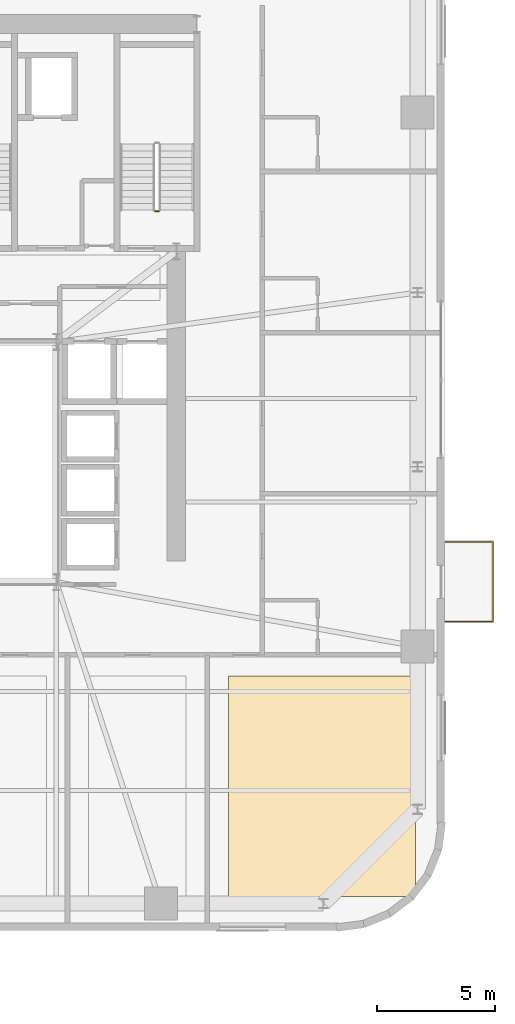
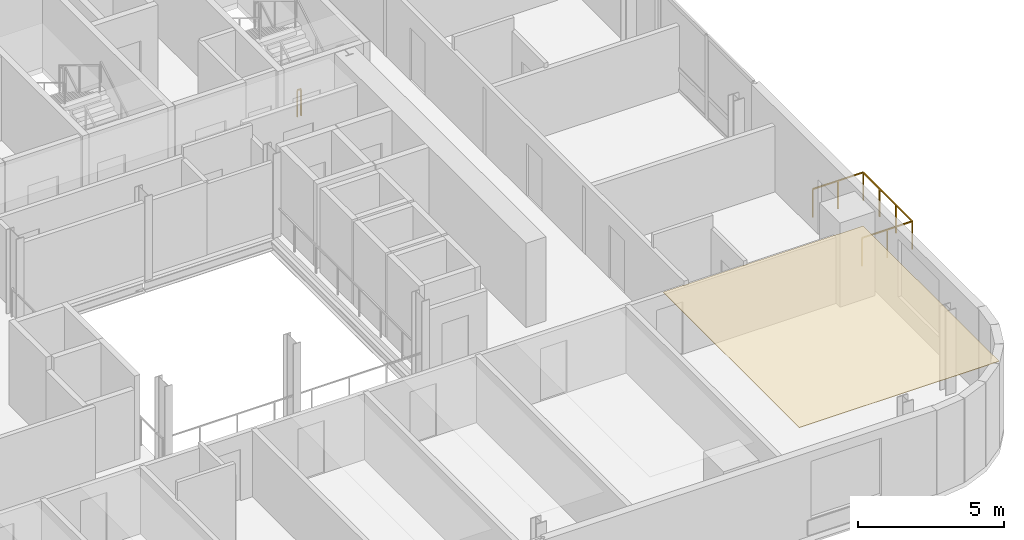
# One storey, part 14 of 16: 2 railings, 1 covering.
"""IFC4 building model written with IfcOpenShell, lengths in metres."""

from ifc_helpers import new_model, si_unit, direction, frame, origin, origin_2d, place, context, subcontext, project, spatial, polyline, rectangle, outline, extrude, source, transform, mapped, material, layer, layer_set, type_object, element, save


model = new_model("IFC4")

# Units and contexts
model_context = context("Model", 3, precision=1e-05, world=origin(), true_north=direction((0.0, 1.0)))
body_context = subcontext(model_context, "Body", "Model", "MODEL_VIEW")
ifc_project = project(units=[si_unit("LENGTHUNIT", "METRE"), si_unit("AREAUNIT", "SQUARE_METRE"), si_unit("VOLUMEUNIT", "CUBIC_METRE"), si_unit("PLANEANGLEUNIT", "RADIAN"), si_unit("MASSUNIT", "GRAM", prefix="KILO")], contexts=[model_context])

# Site, building, storey
site_placement = place(None, origin())
site = spatial("IfcSite", under=ifc_project, at=site_placement, CompositionType="ELEMENT")
building_placement = place(site_placement, origin())
building = spatial("IfcBuilding", under=site, at=building_placement, Name="Vardaveli Station Tower", CompositionType="ELEMENT")
storey_placement = place(building_placement, frame((0.0, 0.0, 211.050048828125)))
storey = spatial("IfcBuildingStorey", under=building, at=storey_placement, Name="L54", CompositionType="ELEMENT", Elevation=211.050048828125)

# Covering
ifc_material_1 = material(Name="Perforated acoustic mineral ceiling")
ifc_layer = layer(ifc_material_1, 0.02001953125, Name="Perforated acoustic mineral ceiling")
ifc_layer_set = layer_set([ifc_layer], Name="Perforated acoustic mineral ceiling")
covering_type = type_object("IfcCoveringType", Name="COV-CEIL-AC20", PredefinedType="CEILING", material=ifc_layer_set)
covering_placement = place(storey_placement, frame((0.0, 0.0, 3.514892578125)))
element("IfcCovering", 1, at=covering_placement, inside=storey, type_object=covering_type, Name="CEIL-L54-7", PredefinedType="CEILING", context=body_context, shape_type="SweptSolid", body=[
    extrude(outline(polyline([(48.719970703125, 3.25), (56.64990234375, 3.25), (56.64990234375, 12.610107421875), (48.719970703125, 12.610107421875), (48.719970703125, 3.25)])), origin(), (0.0, 0.0, 1.0), 0.02001953125),
])

# Railings
ifc_material_2 = material(Name="Laminated glass and stainless steel balustrade", Category="steel")
railing_type_1 = type_object("IfcRailingType", Name="RL-BAL-1200", PredefinedType="BALUSTRADE", material=ifc_material_2)
shared_shape_1 = source(origin(), body_context, "Body", "SweptSolid", [
    extrude(rectangle(XDim=0.048095703125, YDim=0.048095703125, at=origin_2d()), frame((0.0, 0.0, 1.17578125), z_axis=(1.0, 0.0, 0.0), x_axis=(0.0, 1.0, 0.0)), (0.0, 0.0, 1.0), 2.0),
    extrude(rectangle(XDim=0.048095703125, YDim=0.048095703125, at=origin_2d()), frame((2.0, 0.0, 1.17578125), z_axis=(0.0, 1.0, 0.0), x_axis=(-1.0, 0.0, 0.0)), (0.0, 0.0, 1.0), 3.3798828125),
    extrude(rectangle(XDim=0.048095703125, YDim=0.048095703125, at=origin_2d()), frame((2.0, 3.3798828125, 1.17578125), z_axis=(-1.0, 0.0, 0.0), x_axis=(0.0, -1.0, 0.0)), (0.0, 0.0, 1.0), 2.0),
    extrude(rectangle(XDim=0.0419921875, YDim=0.0419921875, at=origin_2d()), origin(), (0.0, 0.0, 1.0), 1.15185546875),
    extrude(rectangle(XDim=0.0419921875, YDim=0.0419921875, at=origin_2d()), frame((1.0, 0.0, 0.0)), (0.0, 0.0, 1.0), 1.15185546875),
    extrude(rectangle(XDim=0.0419921875, YDim=0.0419921875, at=origin_2d()), frame((2.0, 0.0, 0.0)), (0.0, 0.0, 1.0), 1.15185546875),
    extrude(rectangle(XDim=0.0419921875, YDim=0.0419921875, at=origin_2d()), frame((2.0, 1.126708984375, 0.0)), (0.0, 0.0, 1.0), 1.15185546875),
    extrude(rectangle(XDim=0.0419921875, YDim=0.0419921875, at=origin_2d()), frame((2.0, 2.253173828125, 0.0)), (0.0, 0.0, 1.0), 1.15185546875),
    extrude(rectangle(XDim=0.0419921875, YDim=0.0419921875, at=origin_2d()), frame((2.0, 3.3798828125, 0.0)), (0.0, 0.0, 1.0), 1.15185546875),
    extrude(rectangle(XDim=0.0419921875, YDim=0.0419921875, at=origin_2d()), frame((1.0, 3.3798828125, 0.0)), (0.0, 0.0, 1.0), 1.15185546875),
    extrude(rectangle(XDim=0.0419921875, YDim=0.0419921875, at=origin_2d()), frame((0.0, 3.3798828125, 0.0)), (0.0, 0.0, 1.0), 1.15185546875),
])
railing_1_placement = place(storey_placement, frame((57.93994140625, 14.92041015625, 0.0)))
element("IfcRailing", 2, at=railing_1_placement, inside=storey, type_object=railing_type_1, Name="RL-LOG-L54-04", PredefinedType="BALUSTRADE", context=body_context, shape_type="MappedRepresentation", body=[
    mapped(shared_shape_1, transform((0.0, 0.0, 0.0), scale=1.0)),
])
ifc_material_3 = material(Name="Brushed AISI 316 stainless steel", Category="steel")
railing_type_2 = type_object("IfcRailingType", Name="RL-GUARD-1150", PredefinedType="GUARDRAIL", material=ifc_material_3)
shared_shape_2 = source(origin(), body_context, "Body", "SweptSolid", [
    extrude(rectangle(XDim=0.048095703125, YDim=0.048095703125, at=origin_2d()), frame((0.0, 0.0, 1.1259765625), z_axis=(-1.0, 0.0, 0.0), x_axis=(0.0, -1.0, 0.0)), (0.0, 0.0, 1.0), 0.14990234375),
    extrude(rectangle(XDim=0.0419921875, YDim=0.0419921875, at=origin_2d()), origin(), (0.0, 0.0, 1.0), 1.101806640625),
    extrude(rectangle(XDim=0.0419921875, YDim=0.0419921875, at=origin_2d()), frame((-0.14990234375, 0.0, 0.0)), (0.0, 0.0, 1.0), 1.101806640625),
])
railing_2_placement = place(storey_placement, frame((45.75, 32.35009765625, 0.0)))
element("IfcRailing", 3, at=railing_2_placement, inside=storey, type_object=railing_type_2, Name="L54 ST-3 stair guard 4", PredefinedType="GUARDRAIL", context=body_context, shape_type="MappedRepresentation", body=[
    mapped(shared_shape_2, transform((0.0, 0.0, 0.0), scale=1.0)),
])

save(model, "model.ifc")
